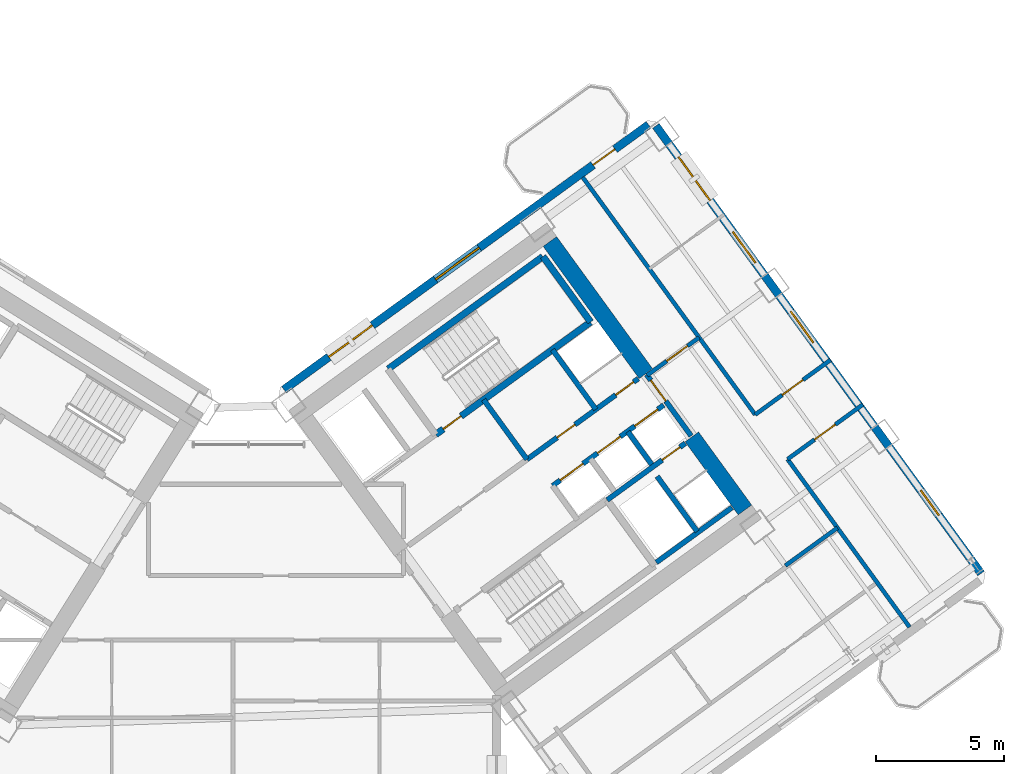
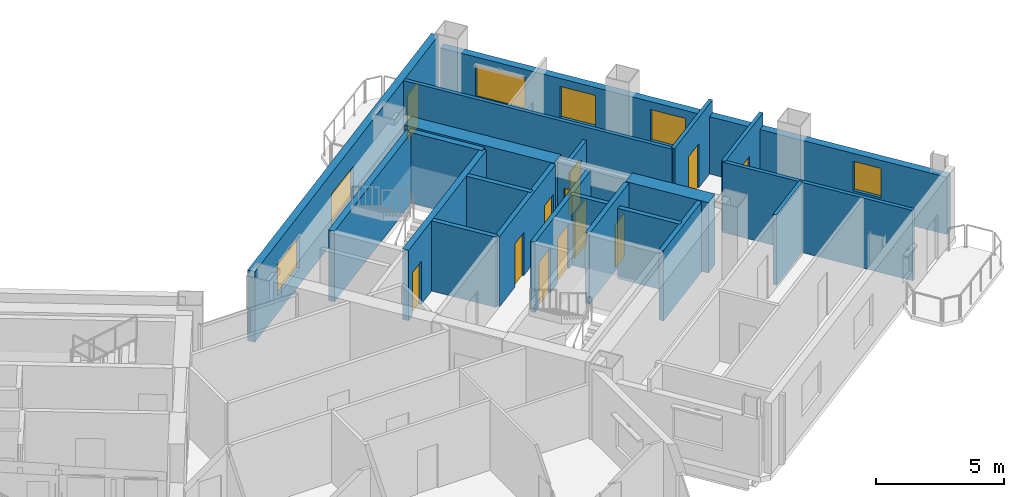
# One storey, part 19 of 25: 22 walls, 12 doors, 6 windows, 18 openings.
"""IFC4 building model written with IfcOpenShell, lengths in metres."""

from ifc_helpers import new_model, si_unit, direction, frame, frame_2d, origin, place, context, subcontext, project, spatial, rectangle, extrude, source, transform, mapped, material, layer, layer_set, type_object, element, fill, save


model = new_model("IFC4")

# Units and contexts
model_context = context("Model", 3, precision=1e-05, world=origin(), true_north=direction((0.0, 1.0)))
body_context = subcontext(model_context, "Body", "Model", "MODEL_VIEW")
ifc_project = project(units=[si_unit("LENGTHUNIT", "METRE"), si_unit("AREAUNIT", "SQUARE_METRE"), si_unit("VOLUMEUNIT", "CUBIC_METRE"), si_unit("PLANEANGLEUNIT", "RADIAN"), si_unit("MASSUNIT", "GRAM", prefix="KILO")], contexts=[model_context])

# Site, building, storey
site_placement = place(None, origin())
site = spatial("IfcSite", under=ifc_project, at=site_placement, CompositionType="ELEMENT")
building_placement = place(site_placement, origin())
building = spatial("IfcBuilding", under=site, at=building_placement, Name="Tlacorven Tower", CompositionType="ELEMENT")
storey_placement = place(building_placement, frame((0.0, 0.0, 52.800048828125)))
storey = spatial("IfcBuildingStorey", under=building, at=storey_placement, Name="L13", CompositionType="ELEMENT", Elevation=52.800048828125)

# Walls
ifc_material_1 = material(Name="Concrete C60/75", Category="concrete")
ifc_layer_1 = layer(ifc_material_1, 0.64990234375)
ifc_layer_set_1 = layer_set([ifc_layer_1], Name="Concrete C60/75")
wall_type_1 = type_object("IfcWallType", Name="WL-COR-650", PredefinedType="SHEAR", material=ifc_layer_set_1)
wall_1_placement = place(storey_placement, frame((61.9287109375, 20.494384765625, 0.0), z_axis=(0.0, 0.0, 1.0), x_axis=(-0.58782982593, 0.808984607855, 0.0)))
element("IfcWall", 1, at=wall_1_placement, inside=storey, type_object=wall_type_1, Name="L13 E core end wall E2.1", PredefinedType="SHEAR", context=body_context, shape_type="SweptSolid", body=[
    extrude(rectangle(XDim=3.52490234375, YDim=0.64990234375, at=frame_2d((1.762451171875, 0.0))), origin(), (0.0, 0.0, 1.0), 3.349853515625),
])
wall_2_placement = place(storey_placement, frame((58.06396484375, 25.8134765625, 0.0), z_axis=(0.0, 0.0, 1.0), x_axis=(-0.58777996584, 0.809020835181, 0.0)))
element("IfcWall", 2, at=wall_2_placement, inside=storey, type_object=wall_type_1, Name="L13 E core end wall E2.2", PredefinedType="SHEAR", context=body_context, shape_type="SweptSolid", body=[
    extrude(rectangle(XDim=6.375, YDim=0.64990234375, at=frame_2d((3.1875, 0.0))), origin(), (0.0, 0.0, 1.0), 3.349853515625),
])
ifc_material_2 = material(Name="Gypsum plasterboard acoustic partition", Category="gypsum")
ifc_layer_2 = layer(ifc_material_2, 0.159912109375)
ifc_layer_set_2 = layer_set([ifc_layer_2], Name="Gypsum plasterboard acoustic partition")
wall_type_2 = type_object("IfcWallType", Name="WL-DEM-160", PredefinedType="PARTITIONING", material=ifc_layer_set_2)
wall_3_placement = place(storey_placement, frame((63.5068359375, 18.322021484375, 0.0), z_axis=(0.0, 0.0, 1.0), x_axis=(0.809034604122, 0.587761013791, 0.0)))
element("IfcWall", 3, at=wall_3_placement, inside=storey, type_object=wall_type_2, Name="L13 partition 96", PredefinedType="PARTITIONING", context=body_context, shape_type="SweptSolid", body=[
    extrude(rectangle(XDim=2.510009765625, YDim=0.159912109375, at=frame_2d((1.2548828125, 0.0))), origin(), (0.0, 0.0, 1.0), 3.33984375),
])

# Wall, opening, door
wall_4_placement = place(storey_placement, frame((58.111083984375, 25.748779296875, 0.0), z_axis=(0.0, 0.0, 1.0), x_axis=(0.809000999347, 0.58780726693, 0.0)))
wall_4 = element("IfcWall", 4, at=wall_4_placement, inside=storey, type_object=wall_type_2, Name="L13 partition 97", PredefinedType="PARTITIONING", context=body_context, shape_type="SweptSolid", body=[
    extrude(rectangle(XDim=2.510009765625, YDim=0.159912109375, at=frame_2d((1.2548828125, 0.0))), origin(), (0.0, 0.0, 1.0), 2.724853515625),
])
opening_1_placement = place(wall_4_placement, frame((0.949951171875, 0.0, 0.0)))
opening_1 = element("IfcOpeningElement", 5, at=opening_1_placement, cuts=wall_4, Name="Opening D11", PredefinedType="OPENING", context=body_context, shape_type="SweptSolid", body=[
    extrude(rectangle(XDim=1.0, YDim=2.10009765625, at=frame_2d((0.5, 1.050048828125))), frame((0.0, 0.08984375, 0.0), z_axis=(0.0, -1.0, 0.0), x_axis=(1.0, 0.0, 0.0)), (0.0, 0.0, 1.0), 0.179931640625),
])
ifc_material_3 = material(Name="Fire-rated steel door assembly", Category="steel")
door_type_1 = type_object("IfcDoorType", Name="DR-FLT-FD60-1000", OperationType="NOTDEFINED", PredefinedType="DOOR", material=ifc_material_3)
shared_shape_1 = source(origin(), body_context, "Body", "SweptSolid", [
    extrude(rectangle(XDim=1.0, YDim=2.10009765625, at=frame_2d((0.5, 1.050048828125))), frame((0.0, 0.02490234375, 0.0), z_axis=(0.0, -1.0, 0.0), x_axis=(1.0, 0.0, 0.0)), (0.0, 0.0, 1.0), 0.050048828125),
])
door_1_placement = place(opening_1_placement, origin())
door_1 = element("IfcDoor", 6, at=door_1_placement, inside=storey, type_object=door_type_1, Name="L13 door 060", OperationType="SINGLE_SWING_LEFT", OverallHeight=2.10009765625, OverallWidth=1.0, PredefinedType="DOOR", context=body_context, shape_type="MappedRepresentation", body=[
    mapped(shared_shape_1, transform((0.0, 0.0, 0.0), scale=1.0)),
])
fill(opening_1, door_1)

# Walls
wall_5_placement = place(storey_placement, frame((68.35302734375, 15.922119140625, 0.0), z_axis=(0.0, 0.0, 1.0), x_axis=(-0.58776839458, 0.809029241952, 0.0)))
element("IfcWall", 7, at=wall_5_placement, inside=storey, type_object=wall_type_2, Name="L13 partition 98", PredefinedType="PARTITIONING", context=body_context, shape_type="SweptSolid", body=[
    extrude(rectangle(XDim=8.10009765625, YDim=0.159912109375, at=frame_2d((4.050048828125, 0.0))), origin(), (0.0, 0.0, 1.0), 3.33984375),
])
wall_6_placement = place(storey_placement, frame((62.328125, 24.214599609375, 0.0), z_axis=(0.0, 0.0, 1.0), x_axis=(-0.587778600963, 0.809021826807, 0.0)))
element("IfcWall", 8, at=wall_6_placement, inside=storey, type_object=wall_type_2, Name="L13 partition 99", PredefinedType="PARTITIONING", context=body_context, shape_type="SweptSolid", body=[
    extrude(rectangle(XDim=11.449951171875, YDim=0.159912109375, at=frame_2d((5.72509765625, 0.0))), origin(), (0.0, 0.0, 1.0), 3.33984375),
])

# Wall, opening, door
wall_7_placement = place(storey_placement, frame((63.592041015625, 22.475341796875, 0.0), z_axis=(0.0, 0.0, 1.0), x_axis=(0.809035546126, 0.58775971715, 0.0)))
wall_7 = element("IfcWall", 9, at=wall_7_placement, inside=storey, type_object=wall_type_2, Name="L13 partition 101", PredefinedType="PARTITIONING", context=body_context, shape_type="SweptSolid", body=[
    extrude(rectangle(XDim=3.6298828125, YDim=0.159912109375, at=frame_2d((1.81494140625, 0.0))), origin(), (0.0, 0.0, 1.0), 3.33984375),
])
opening_2_placement = place(wall_7_placement, frame((1.304931640625, 0.0, 0.0)))
opening_2 = element("IfcOpeningElement", 10, at=opening_2_placement, cuts=wall_7, Name="Opening D11", PredefinedType="OPENING", context=body_context, shape_type="SweptSolid", body=[
    extrude(rectangle(XDim=1.0, YDim=2.10009765625, at=frame_2d((0.5, 1.050048828125))), frame((0.0, 0.08984375, 0.0), z_axis=(0.0, -1.0, 0.0), x_axis=(1.0, 0.0, 0.0)), (0.0, 0.0, 1.0), 0.179931640625),
])
door_2_placement = place(opening_2_placement, origin())
door_2 = element("IfcDoor", 11, at=door_2_placement, inside=storey, type_object=door_type_1, Name="L13 door 064", OperationType="SINGLE_SWING_LEFT", OverallHeight=2.10009765625, OverallWidth=1.0, PredefinedType="DOOR", context=body_context, shape_type="MappedRepresentation", body=[
    mapped(shared_shape_1, transform((0.0, 0.0, 0.0), scale=1.0)),
])
fill(opening_2, door_2)

wall_8_placement = place(storey_placement, frame((62.328125, 24.214599609375, 0.0), z_axis=(0.0, 0.0, 1.0), x_axis=(0.809003564202, 0.587803736896, 0.0)))
wall_8 = element("IfcWall", 12, at=wall_8_placement, inside=storey, type_object=wall_type_2, Name="L13 partition 102", PredefinedType="PARTITIONING", context=body_context, shape_type="SweptSolid", body=[
    extrude(rectangle(XDim=3.630126953125, YDim=0.159912109375, at=frame_2d((1.81494140625, 0.0))), origin(), (0.0, 0.0, 1.0), 3.33984375),
])
opening_3_placement = place(wall_8_placement, frame((1.304931640625, 0.0, 0.0)))
opening_3 = element("IfcOpeningElement", 13, at=opening_3_placement, cuts=wall_8, Name="Opening D11", PredefinedType="OPENING", context=body_context, shape_type="SweptSolid", body=[
    extrude(rectangle(XDim=1.0, YDim=2.10009765625, at=frame_2d((0.5, 1.050048828125))), frame((0.0, 0.08984375, 0.0), z_axis=(0.0, -1.0, 0.0), x_axis=(1.0, 0.0, 0.0)), (0.0, 0.0, 1.0), 0.179931640625),
])
door_3_placement = place(opening_3_placement, origin())
door_3 = element("IfcDoor", 14, at=door_3_placement, inside=storey, type_object=door_type_1, Name="L13 door 062", OperationType="SINGLE_SWING_LEFT", OverallHeight=2.10009765625, OverallWidth=1.0, PredefinedType="DOOR", context=body_context, shape_type="MappedRepresentation", body=[
    mapped(shared_shape_1, transform((0.0, 0.0, 0.0), scale=1.0)),
])
fill(opening_3, door_3)

# Wall, openings, door, windows
ifc_material_4 = material(Name="Precast concrete C45/55", Category="concrete")
ifc_layer_3 = layer(ifc_material_4, 0.320068359375)
ifc_layer_set_3 = layer_set([ifc_layer_3], Name="Precast concrete C45/55")
wall_type_3 = type_object("IfcWallType", Name="WL-EXT-320", PredefinedType="STANDARD", material=ifc_layer_set_3)
wall_9_placement = place(storey_placement, frame((43.93798828125, 25.191650390625, 0.0), z_axis=(0.0, 0.0, 1.0), x_axis=(0.809016324578, 0.587786174187, 0.0)))
wall_9 = element("IfcWall", 15, at=wall_9_placement, inside=storey, type_object=wall_type_3, Name="L13 Masonry-Frame Recessed Facade Wall 4", PredefinedType="STANDARD", context=body_context, shape_type="SweptSolid", body=[
    extrude(rectangle(XDim=17.58740234375, YDim=0.320068359375, at=frame_2d((8.793701171875, 0.0))), origin(), (0.0, 0.0, 1.0), 3.349853515625),
])
opening_4_placement = place(wall_9_placement, frame((14.913818359375, 0.0, 0.0)))
opening_4 = element("IfcOpeningElement", 16, at=opening_4_placement, cuts=wall_9, Name="Opening D06", PredefinedType="OPENING", context=body_context, shape_type="SweptSolid", body=[
    extrude(rectangle(XDim=1.050048828125, YDim=2.14990234375, at=frame_2d((0.52490234375, 1.074951171875))), frame((0.0, 0.169921875, 0.0), z_axis=(0.0, -1.0, 0.0), x_axis=(1.0, 0.0, 0.0)), (0.0, 0.0, 1.0), 0.340087890625),
])
opening_5_placement = place(wall_9_placement, frame((2.168701171875, 0.0, 0.800048828125)))
opening_5 = element("IfcOpeningElement", 17, at=opening_5_placement, cuts=wall_9, Name="Opening WN04", PredefinedType="OPENING", context=body_context, shape_type="SweptSolid", body=[
    extrude(rectangle(XDim=2.10009765625, YDim=1.550048828125, at=frame_2d((1.050048828125, 0.77490234375))), frame((0.0, 0.169921875, 0.0), z_axis=(0.0, -1.0, 0.0), x_axis=(1.0, 0.0, 0.0)), (0.0, 0.0, 1.0), 0.340087890625),
])
opening_6_placement = place(wall_9_placement, frame((7.318603515625, 0.0, 0.800048828125)))
opening_6 = element("IfcOpeningElement", 18, at=opening_6_placement, cuts=wall_9, Name="Opening WN04", PredefinedType="OPENING", context=body_context, shape_type="SweptSolid", body=[
    extrude(rectangle(XDim=2.10009765625, YDim=1.550048828125, at=frame_2d((1.050048828125, 0.77490234375))), frame((0.0, 0.169921875, 0.0), z_axis=(0.0, -1.0, 0.0), x_axis=(1.0, 0.0, 0.0)), (0.0, 0.0, 1.0), 0.340087890625),
])
ifc_material_5 = material(Name="Powder-coated aluminium and timber door", Category="wood")
door_type_2 = type_object("IfcDoorType", Name="DR-EXT-BALC-1050", OperationType="NOTDEFINED", PredefinedType="DOOR", material=ifc_material_5)
shared_shape_2 = source(origin(), body_context, "Body", "SweptSolid", [
    extrude(rectangle(XDim=1.050048828125, YDim=2.14990234375, at=frame_2d((0.52490234375, 1.074951171875))), frame((0.0, 0.02490234375, 0.0), z_axis=(0.0, -1.0, 0.0), x_axis=(1.0, 0.0, 0.0)), (0.0, 0.0, 1.0), 0.050048828125),
])
door_4_placement = place(opening_4_placement, origin())
door_4 = element("IfcDoor", 19, at=door_4_placement, inside=storey, type_object=door_type_2, Name="L13 Outdoor Access Door BAL-L13-E-IN", OperationType="SINGLE_SWING_RIGHT", OverallHeight=2.14990234375, OverallWidth=1.050048828125, PredefinedType="DOOR", context=body_context, shape_type="MappedRepresentation", body=[
    mapped(shared_shape_2, transform((0.0, 0.0, 0.0), scale=1.0)),
])
fill(opening_4, door_4)
ifc_material_6 = material(Name="Dark solar low-E double glazing in anodised aluminium frame", Category="aluminium")
window_type_1 = type_object("IfcWindowType", Name="WN-APT-2100X1750", PartitioningType="SINGLE_PANEL", PredefinedType="WINDOW", material=ifc_material_6)
shared_shape_3 = source(origin(), body_context, "Body", "SweptSolid", [
    extrude(rectangle(XDim=2.10009765625, YDim=1.550048828125, at=frame_2d((1.050048828125, 0.77490234375))), frame((0.0, 0.030029296875, 0.0), z_axis=(0.0, -1.0, 0.0), x_axis=(1.0, 0.0, 0.0)), (0.0, 0.0, 1.0), 0.06005859375),
])
window_1_placement = place(opening_5_placement, origin())
window_1 = element("IfcWindow", 20, at=window_1_placement, inside=storey, type_object=window_type_1, Name="L13 Recessed Masonry-Frame Window L13-04.1", OverallHeight=1.550048828125, OverallWidth=2.10009765625, PartitioningType="SINGLE_PANEL", PredefinedType="WINDOW", context=body_context, shape_type="MappedRepresentation", body=[
    mapped(shared_shape_3, transform((0.0, 0.0, 0.0), scale=1.0)),
])
fill(opening_5, window_1)
window_2_placement = place(opening_6_placement, origin())
window_2 = element("IfcWindow", 21, at=window_2_placement, inside=storey, type_object=window_type_1, Name="L13 Recessed Masonry-Frame Window L13-04.2", OverallHeight=1.550048828125, OverallWidth=2.10009765625, PartitioningType="SINGLE_PANEL", PredefinedType="WINDOW", context=body_context, shape_type="MappedRepresentation", body=[
    mapped(shared_shape_3, transform((0.0, 0.0, 0.0), scale=1.0)),
])
fill(opening_6, window_2)

# Wall, openings, windows
wall_10_placement = place(storey_placement, frame((58.45458984375, 35.483642578125, 0.0), z_axis=(0.0, 0.0, 1.0), x_axis=(0.587783625747, -0.809018176127, 0.0)))
wall_10 = element("IfcWall", 22, at=wall_10_placement, inside=storey, type_object=wall_type_3, Name="L13 Masonry-Frame Recessed Facade Wall 5", PredefinedType="STANDARD", context=body_context, shape_type="SweptSolid", body=[
    extrude(rectangle(XDim=21.58740234375, YDim=0.320068359375, at=frame_2d((10.793701171875, 0.0))), origin(), (0.0, 0.0, 1.0), 2.724853515625),
])
opening_7_placement = place(wall_10_placement, frame((1.500244140625, 0.0, 0.800048828125)))
opening_7 = element("IfcOpeningElement", 23, at=opening_7_placement, cuts=wall_10, Name="Opening WN04", PredefinedType="OPENING", context=body_context, shape_type="SweptSolid", body=[
    extrude(rectangle(XDim=2.10009765625, YDim=1.550048828125, at=frame_2d((1.050048828125, 0.77490234375))), frame((0.0, 0.169921875, 0.0), z_axis=(0.0, -1.0, 0.0), x_axis=(1.0, 0.0, 0.0)), (0.0, 0.0, 1.0), 0.340087890625),
])
opening_8_placement = place(wall_10_placement, frame((5.105224609375, 0.0, 0.85009765625)))
opening_8 = element("IfcOpeningElement", 24, at=opening_8_placement, cuts=wall_10, Name="Opening WN02", PredefinedType="OPENING", context=body_context, shape_type="SweptSolid", body=[
    extrude(rectangle(XDim=1.5, YDim=1.5, at=frame_2d((0.75, 0.75))), frame((0.0, 0.169921875, 0.0), z_axis=(0.0, -1.0, 0.0), x_axis=(1.0, 0.0, 0.0)), (0.0, 0.0, 1.0), 0.340087890625),
])
opening_9_placement = place(wall_10_placement, frame((8.95361328125, 0.0, 0.85009765625)))
opening_9 = element("IfcOpeningElement", 25, at=opening_9_placement, cuts=wall_10, Name="Opening WN02", PredefinedType="OPENING", context=body_context, shape_type="SweptSolid", body=[
    extrude(rectangle(XDim=1.5, YDim=1.5, at=frame_2d((0.75, 0.75))), frame((0.0, 0.169921875, 0.0), z_axis=(0.0, -1.0, 0.0), x_axis=(1.0, 0.0, 0.0)), (0.0, 0.0, 1.0), 0.340087890625),
])
opening_10_placement = place(wall_10_placement, frame((17.581298828125, 0.0, 0.949951171875)))
opening_10 = element("IfcOpeningElement", 26, at=opening_10_placement, cuts=wall_10, Name="Opening WN03", PredefinedType="OPENING", context=body_context, shape_type="SweptSolid", body=[
    extrude(rectangle(XDim=1.199951171875, YDim=1.39990234375, at=frame_2d((0.60009765625, 0.699951171875))), frame((0.0, 0.169921875, 0.0), z_axis=(0.0, -1.0, 0.0), x_axis=(1.0, 0.0, 0.0)), (0.0, 0.0, 1.0), 0.340087890625),
])
window_3_placement = place(opening_7_placement, origin())
window_3 = element("IfcWindow", 27, at=window_3_placement, inside=storey, type_object=window_type_1, Name="L13 Recessed Masonry-Frame Window L13-05.1", OverallHeight=1.550048828125, OverallWidth=2.10009765625, PartitioningType="SINGLE_PANEL", PredefinedType="WINDOW", context=body_context, shape_type="MappedRepresentation", body=[
    mapped(shared_shape_3, transform((0.0, 0.0, 0.0), scale=1.0)),
])
fill(opening_7, window_3)
window_type_2 = type_object("IfcWindowType", Name="WN-APT-1200X1500", PartitioningType="SINGLE_PANEL", PredefinedType="WINDOW", material=ifc_material_6)
shared_shape_4 = source(origin(), body_context, "Body", "SweptSolid", [
    extrude(rectangle(XDim=1.199951171875, YDim=1.39990234375, at=frame_2d((0.60009765625, 0.699951171875))), frame((0.0, 0.030029296875, 0.0), z_axis=(0.0, -1.0, 0.0), x_axis=(1.0, 0.0, 0.0)), (0.0, 0.0, 1.0), 0.06005859375),
])
window_4_placement = place(opening_10_placement, origin())
window_4 = element("IfcWindow", 28, at=window_4_placement, inside=storey, type_object=window_type_2, Name="L13 Recessed Masonry-Frame Window L13-05.4", OverallHeight=1.39990234375, OverallWidth=1.199951171875, PartitioningType="SINGLE_PANEL", PredefinedType="WINDOW", context=body_context, shape_type="MappedRepresentation", body=[
    mapped(shared_shape_4, transform((0.0, 0.0, 0.0), scale=1.0)),
])
fill(opening_10, window_4)
window_type_3 = type_object("IfcWindowType", Name="WN-APT-1500X1650", PartitioningType="SINGLE_PANEL", PredefinedType="WINDOW", material=ifc_material_6)
shared_shape_5 = source(origin(), body_context, "Body", "SweptSolid", [
    extrude(rectangle(XDim=1.5, YDim=1.5, at=frame_2d((0.75, 0.75))), frame((0.0, 0.030029296875, 0.0), z_axis=(0.0, -1.0, 0.0), x_axis=(1.0, 0.0, 0.0)), (0.0, 0.0, 1.0), 0.06005859375),
])
window_5_placement = place(opening_8_placement, origin())
window_5 = element("IfcWindow", 29, at=window_5_placement, inside=storey, type_object=window_type_3, Name="L13 Recessed Masonry-Frame Window L13-05.2", OverallHeight=1.5, OverallWidth=1.5, PartitioningType="SINGLE_PANEL", PredefinedType="WINDOW", context=body_context, shape_type="MappedRepresentation", body=[
    mapped(shared_shape_5, transform((0.0, 0.0, 0.0), scale=1.0)),
])
fill(opening_8, window_5)
window_6_placement = place(opening_9_placement, origin())
window_6 = element("IfcWindow", 30, at=window_6_placement, inside=storey, type_object=window_type_3, Name="L13 Recessed Masonry-Frame Window L13-05.3", OverallHeight=1.5, OverallWidth=1.5, PartitioningType="SINGLE_PANEL", PredefinedType="WINDOW", context=body_context, shape_type="MappedRepresentation", body=[
    mapped(shared_shape_5, transform((0.0, 0.0, 0.0), scale=1.0)),
])
fill(opening_9, window_6)

# Wall, opening, door
ifc_material_7 = material(Name="Concrete C40/50", Category="concrete")
ifc_layer_4 = layer(ifc_material_7, 0.199951171875)
ifc_layer_set_4 = layer_set([ifc_layer_4], Name="Concrete C40/50")
wall_type_4 = type_object("IfcWallType", Name="WL-SHF-200", PredefinedType="STANDARD", material=ifc_layer_set_4)
wall_11_placement = place(storey_placement, frame((56.552978515625, 20.884033203125, 0.0), z_axis=(0.0, 0.0, 1.0), x_axis=(0.809035789462, 0.587759382205, 0.0)))
wall_11 = element("IfcWall", 31, at=wall_11_placement, inside=storey, type_object=wall_type_4, Name="L13 Core E South Lift Shaft Wall", PredefinedType="STANDARD", context=body_context, shape_type="SweptSolid", body=[
    extrude(rectangle(XDim=3.767822265625, YDim=0.199951171875, at=frame_2d((1.8837890625, 0.0))), origin(), (0.0, 0.0, 1.0), 3.33984375),
])
opening_11_placement = place(wall_11_placement, frame((2.64990234375, 0.0, 0.0)))
opening_11 = element("IfcOpeningElement", 32, at=opening_11_placement, cuts=wall_11, Name="Opening D19", PredefinedType="OPENING", context=body_context, shape_type="SweptSolid", body=[
    extrude(rectangle(XDim=0.860107421875, YDim=2.050048828125, at=frame_2d((0.43017578125, 1.02490234375))), frame((0.0, 0.10986328125, 0.0), z_axis=(0.0, -1.0, 0.0), x_axis=(1.0, 0.0, 0.0)), (0.0, 0.0, 1.0), 0.219970703125),
])
door_type_3 = type_object("IfcDoorType", Name="DR-RSR-FD60-0860", OperationType="NOTDEFINED", PredefinedType="DOOR", material=ifc_material_3)
shared_shape_6 = source(origin(), body_context, "Body", "SweptSolid", [
    extrude(rectangle(XDim=0.860107421875, YDim=2.050048828125, at=frame_2d((0.43017578125, 1.02490234375))), frame((0.0, 0.02490234375, 0.0), z_axis=(0.0, -1.0, 0.0), x_axis=(1.0, 0.0, 0.0)), (0.0, 0.0, 1.0), 0.050048828125),
])
door_5_placement = place(opening_11_placement, origin())
door_5 = element("IfcDoor", 33, at=door_5_placement, inside=storey, type_object=door_type_3, Name="L13 Smoke Extract Riser Access Door", OperationType="SINGLE_SWING_RIGHT", OverallHeight=2.050048828125, OverallWidth=0.860107421875, PredefinedType="DOOR", context=body_context, shape_type="MappedRepresentation", body=[
    mapped(shared_shape_6, transform((0.0, 0.0, 0.0), scale=1.0)),
])
fill(opening_11, door_5)

# Wall, openings, doors
wall_12_placement = place(storey_placement, frame((54.421142578125, 21.436279296875, 0.0), z_axis=(0.0, 0.0, 1.0), x_axis=(0.809013710463, 0.587789772183, 0.0)))
wall_12 = element("IfcWall", 34, at=wall_12_placement, inside=storey, type_object=wall_type_4, Name="L13 partition 36", PredefinedType="STANDARD", context=body_context, shape_type="SweptSolid", body=[
    extrude(rectangle(XDim=5.360107421875, YDim=0.199951171875, at=frame_2d((2.68017578125, 0.0))), origin(), (0.0, 0.0, 1.0), 3.33984375),
])
opening_12_placement = place(wall_12_placement, frame((0.3701171875, 0.0, 0.0)))
opening_12 = element("IfcOpeningElement", 35, at=opening_12_placement, cuts=wall_12, Name="Opening LD01", PredefinedType="OPENING", context=body_context, shape_type="SweptSolid", body=[
    extrude(rectangle(XDim=1.10009765625, YDim=2.14990234375, at=frame_2d((0.550048828125, 1.074951171875))), frame((0.0, 0.10986328125, 0.0), z_axis=(0.0, -1.0, 0.0), x_axis=(1.0, 0.0, 0.0)), (0.0, 0.0, 1.0), 0.219970703125),
])
opening_13_placement = place(wall_12_placement, frame((2.169921875, 0.0, 0.0)))
opening_13 = element("IfcOpeningElement", 36, at=opening_13_placement, cuts=wall_12, Name="Opening LD01", PredefinedType="OPENING", context=body_context, shape_type="SweptSolid", body=[
    extrude(rectangle(XDim=1.10009765625, YDim=2.14990234375, at=frame_2d((0.550048828125, 1.074951171875))), frame((0.0, 0.10986328125, 0.0), z_axis=(0.0, -1.0, 0.0), x_axis=(1.0, 0.0, 0.0)), (0.0, 0.0, 1.0), 0.219970703125),
])
opening_14_placement = place(wall_12_placement, frame((3.969970703125, 0.0, 0.0)))
opening_14 = element("IfcOpeningElement", 37, at=opening_14_placement, cuts=wall_12, Name="Opening LD01", PredefinedType="OPENING", context=body_context, shape_type="SweptSolid", body=[
    extrude(rectangle(XDim=1.10009765625, YDim=2.14990234375, at=frame_2d((0.550048828125, 1.074951171875))), frame((0.0, 0.10986328125, 0.0), z_axis=(0.0, -1.0, 0.0), x_axis=(1.0, 0.0, 0.0)), (0.0, 0.0, 1.0), 0.219970703125),
])
door_type_4 = type_object("IfcDoorType", Name="DR-LFT-SLID-1100", OperationType="DOUBLE_DOOR_SLIDING", PredefinedType="DOOR", material=ifc_material_3)
shared_shape_7 = source(origin(), body_context, "Body", "SweptSolid", [
    extrude(rectangle(XDim=1.10009765625, YDim=2.14990234375, at=frame_2d((0.550048828125, 1.074951171875))), frame((0.0, 0.02490234375, 0.0), z_axis=(0.0, -1.0, 0.0), x_axis=(1.0, 0.0, 0.0)), (0.0, 0.0, 1.0), 0.050048828125),
])
door_6_placement = place(opening_12_placement, origin())
door_6 = element("IfcDoor", 38, at=door_6_placement, inside=storey, type_object=door_type_4, Name="L13 Lift PL-L1 Sliding Landing Door", OperationType="DOUBLE_DOOR_SLIDING", OverallHeight=2.14990234375, OverallWidth=1.10009765625, PredefinedType="DOOR", context=body_context, shape_type="MappedRepresentation", body=[
    mapped(shared_shape_7, transform((0.0, 0.0, 0.0), scale=1.0)),
])
fill(opening_12, door_6)
door_7_placement = place(opening_13_placement, origin())
door_7 = element("IfcDoor", 39, at=door_7_placement, inside=storey, type_object=door_type_4, Name="L13 Lift PL-L2 Sliding Landing Door", OperationType="DOUBLE_DOOR_SLIDING", OverallHeight=2.14990234375, OverallWidth=1.10009765625, PredefinedType="DOOR", context=body_context, shape_type="MappedRepresentation", body=[
    mapped(shared_shape_7, transform((0.0, 0.0, 0.0), scale=1.0)),
])
fill(opening_13, door_7)
door_8_placement = place(opening_14_placement, origin())
door_8 = element("IfcDoor", 40, at=door_8_placement, inside=storey, type_object=door_type_4, Name="L13 Lift PL-L3 Sliding Landing Door", OperationType="DOUBLE_DOOR_SLIDING", OverallHeight=2.14990234375, OverallWidth=1.10009765625, PredefinedType="DOOR", context=body_context, shape_type="MappedRepresentation", body=[
    mapped(shared_shape_7, transform((0.0, 0.0, 0.0), scale=1.0)),
])
fill(opening_14, door_8)

# Walls
wall_13_placement = place(storey_placement, frame((58.290283203125, 22.269775390625, 0.0), z_axis=(0.0, 0.0, 1.0), x_axis=(-0.587840865826, 0.808976585857, 0.0)))
element("IfcWall", 41, at=wall_13_placement, inside=storey, type_object=wall_type_4, Name="L13 partition 40", PredefinedType="STANDARD", context=body_context, shape_type="SweptSolid", body=[
    extrude(rectangle(XDim=1.579833984375, YDim=0.199951171875, at=frame_2d((0.7900390625, 0.0))), origin(), (0.0, 0.0, 1.0), 3.33984375),
])
wall_14_placement = place(storey_placement, frame((60.066650390625, 19.654541015625, 0.0), z_axis=(0.0, 0.0, 1.0), x_axis=(-0.587800520745, 0.809005900975, 0.0)))
element("IfcWall", 42, at=wall_14_placement, inside=storey, type_object=wall_type_4, Name="L13 partition 41", PredefinedType="STANDARD", context=body_context, shape_type="SweptSolid", body=[
    extrude(rectangle(XDim=2.659912109375, YDim=0.199951171875, at=frame_2d((1.330078125, 0.0))), origin(), (0.0, 0.0, 1.0), 3.33984375),
])
wall_15_placement = place(storey_placement, frame((58.47216796875, 18.446533203125, 0.0), z_axis=(0.0, 0.0, 1.0), x_axis=(0.809022487728, 0.587777691266, 0.0)))
element("IfcWall", 43, at=wall_15_placement, inside=storey, type_object=wall_type_4, Name="L13 partition 43", PredefinedType="STANDARD", context=body_context, shape_type="SweptSolid", body=[
    extrude(rectangle(XDim=3.648193359375, YDim=0.199951171875, at=frame_2d((1.82421875, 0.0))), origin(), (0.0, 0.0, 1.0), 3.33984375),
])
wall_16_placement = place(storey_placement, frame((53.424560546875, 22.467529296875, 0.0), z_axis=(0.0, 0.0, 1.0), x_axis=(-0.5877230039, 0.809062216821, 0.0)))
element("IfcWall", 44, at=wall_16_placement, inside=storey, type_object=wall_type_4, Name="L13 partition 45", PredefinedType="STANDARD", context=body_context, shape_type="SweptSolid", body=[
    extrude(rectangle(XDim=2.8798828125, YDim=0.199951171875, at=frame_2d((1.43994140625, 0.0))), origin(), (0.0, 0.0, 1.0), 3.33984375),
])
wall_17_placement = place(storey_placement, frame((56.110595703125, 24.4189453125, 0.0), z_axis=(0.0, 0.0, 1.0), x_axis=(-0.58777848983, 0.809021907548, 0.0)))
element("IfcWall", 45, at=wall_17_placement, inside=storey, type_object=wall_type_4, Name="L13 partition 46", PredefinedType="STANDARD", context=body_context, shape_type="SweptSolid", body=[
    extrude(rectangle(XDim=2.880126953125, YDim=0.199951171875, at=frame_2d((1.43994140625, 0.0))), origin(), (0.0, 0.0, 1.0), 3.33984375),
])

# Wall, openings, doors
wall_18_placement = place(storey_placement, frame((53.424560546875, 22.467529296875, 0.0), z_axis=(0.0, 0.0, 1.0), x_axis=(0.80902705128, 0.587771409902, 0.0)))
wall_18 = element("IfcWall", 46, at=wall_18_placement, inside=storey, type_object=wall_type_4, Name="L13 Core E North Service Wall", PredefinedType="STANDARD", context=body_context, shape_type="SweptSolid", body=[
    extrude(rectangle(XDim=5.3681640625, YDim=0.199951171875, at=frame_2d((2.68408203125, 0.0))), origin(), (0.0, 0.0, 1.0), 3.33984375),
])
opening_15_placement = place(wall_18_placement, frame((4.280029296875, 0.0, 0.0)))
opening_15 = element("IfcOpeningElement", 47, at=opening_15_placement, cuts=wall_18, Name="Opening D19", PredefinedType="OPENING", context=body_context, shape_type="SweptSolid", body=[
    extrude(rectangle(XDim=0.860107421875, YDim=2.050048828125, at=frame_2d((0.43017578125, 1.02490234375))), frame((0.0, 0.10986328125, 0.0), z_axis=(0.0, -1.0, 0.0), x_axis=(1.0, 0.0, 0.0)), (0.0, 0.0, 1.0), 0.219970703125),
])
opening_16_placement = place(wall_18_placement, frame((1.449951171875, 0.0, 0.0)))
opening_16 = element("IfcOpeningElement", 48, at=opening_16_placement, cuts=wall_18, Name="Opening D19", PredefinedType="OPENING", context=body_context, shape_type="SweptSolid", body=[
    extrude(rectangle(XDim=0.860107421875, YDim=2.050048828125, at=frame_2d((0.43017578125, 1.02490234375))), frame((0.0, 0.10986328125, 0.0), z_axis=(0.0, -1.0, 0.0), x_axis=(1.0, 0.0, 0.0)), (0.0, 0.0, 1.0), 0.219970703125),
])
door_9_placement = place(opening_15_placement, frame((0.860107421875, 0.0, 0.0), z_axis=(0.0, 0.0, 1.0), x_axis=(-1.0, 0.0, 0.0)))
door_9 = element("IfcDoor", 49, at=door_9_placement, inside=storey, type_object=door_type_3, Name="L13 Electrical Riser Access Door E", OperationType="SINGLE_SWING_LEFT", OverallHeight=2.050048828125, OverallWidth=0.860107421875, PredefinedType="DOOR", context=body_context, shape_type="MappedRepresentation", body=[
    mapped(shared_shape_6, transform((0.0, 0.0, 0.0), scale=1.0)),
])
fill(opening_15, door_9)
door_10_placement = place(opening_16_placement, frame((0.860107421875, 0.0, 0.0), z_axis=(0.0, 0.0, 1.0), x_axis=(-1.0, 0.0, 0.0)))
door_10 = element("IfcDoor", 50, at=door_10_placement, inside=storey, type_object=door_type_3, Name="L13 Housekeeping Linen Access Door E", OperationType="SINGLE_SWING_RIGHT", OverallHeight=2.050048828125, OverallWidth=0.860107421875, PredefinedType="DOOR", context=body_context, shape_type="MappedRepresentation", body=[
    mapped(shared_shape_6, transform((0.0, 0.0, 0.0), scale=1.0)),
])
fill(opening_16, door_10)

# Wall, opening, door
wall_19_placement = place(storey_placement, frame((59.827392578125, 23.386474609375, 0.0), z_axis=(0.0, 0.0, 1.0), x_axis=(-0.587803840107, 0.809003489211, 0.0)))
wall_19 = element("IfcWall", 51, at=wall_19_placement, inside=storey, type_object=wall_type_4, Name="L13 partition 95", PredefinedType="STANDARD", context=body_context, shape_type="SweptSolid", body=[
    extrude(rectangle(XDim=2.960205078125, YDim=0.199951171875, at=frame_2d((1.47998046875, 0.0))), origin(), (0.0, 0.0, 1.0), 3.33984375),
])
opening_17_placement = place(wall_19_placement, frame((1.679931640625, 0.0, 0.0)))
opening_17 = element("IfcOpeningElement", 52, at=opening_17_placement, cuts=wall_19, Name="Opening D11", PredefinedType="OPENING", context=body_context, shape_type="SweptSolid", body=[
    extrude(rectangle(XDim=1.0, YDim=2.10009765625, at=frame_2d((0.5, 1.050048828125))), frame((0.0, 0.10986328125, 0.0), z_axis=(0.0, -1.0, 0.0), x_axis=(1.0, 0.0, 0.0)), (0.0, 0.0, 1.0), 0.219970703125),
])
door_11_placement = place(opening_17_placement, origin())
door_11 = element("IfcDoor", 53, at=door_11_placement, inside=storey, type_object=door_type_1, Name="L13 door 061", OperationType="SINGLE_SWING_RIGHT", OverallHeight=2.10009765625, OverallWidth=1.0, PredefinedType="DOOR", context=body_context, shape_type="MappedRepresentation", body=[
    mapped(shared_shape_1, transform((0.0, 0.0, 0.0), scale=1.0)),
])
fill(opening_17, door_11)

# Wall
ifc_material_8 = material(Name="Concrete C50/60", Category="concrete")
ifc_layer_5 = layer(ifc_material_8, 0.260009765625)
ifc_layer_set_5 = layer_set([ifc_layer_5], Name="Concrete C50/60")
wall_type_5 = type_object("IfcWallType", Name="WL-STW-260", PredefinedType="SHEAR", material=ifc_layer_set_5)
wall_20_placement = place(storey_placement, frame((48.005615234375, 25.996337890625, 0.0), z_axis=(0.0, 0.0, 1.0), x_axis=(0.80901903764, 0.587782439969, 0.0)))
element("IfcWall", 54, at=wall_20_placement, inside=storey, type_object=wall_type_5, Name="L13 Stair E1 Far Shear Wall", PredefinedType="SHEAR", context=body_context, shape_type="SweptSolid", body=[
    extrude(rectangle(XDim=7.4599609375, YDim=0.260009765625, at=frame_2d((3.72998046875, 0.0))), origin(), (0.0, 0.0, 1.0), 3.349853515625),
])

# Wall, opening, door
wall_21_placement = place(storey_placement, frame((49.863037109375, 23.439697265625, 0.0), z_axis=(0.0, 0.0, 1.0), x_axis=(0.809003474932, 0.587803859759, 0.0)))
wall_21 = element("IfcWall", 55, at=wall_21_placement, inside=storey, type_object=wall_type_5, Name="L13 Stair E1 Lobby Shear Wall", PredefinedType="SHEAR", context=body_context, shape_type="SweptSolid", body=[
    extrude(rectangle(XDim=7.4599609375, YDim=0.260009765625, at=frame_2d((3.72998046875, 0.0))), origin(), (0.0, 0.0, 1.0), 3.349853515625),
])
opening_18_placement = place(wall_21_placement, frame((0.360107421875, 0.0, 0.0)))
opening_18 = element("IfcOpeningElement", 56, at=opening_18_placement, cuts=wall_21, Name="Opening D19", PredefinedType="OPENING", context=body_context, shape_type="SweptSolid", body=[
    extrude(rectangle(XDim=0.860107421875, YDim=2.050048828125, at=frame_2d((0.43017578125, 1.02490234375))), frame((0.0, 0.14013671875, 0.0), z_axis=(0.0, -1.0, 0.0), x_axis=(1.0, 0.0, 0.0)), (0.0, 0.0, 1.0), 0.280029296875),
])
door_12_placement = place(opening_18_placement, frame((0.860107421875, 0.0, 0.0), z_axis=(0.0, 0.0, 1.0), x_axis=(-1.0, 0.0, 0.0)))
door_12 = element("IfcDoor", 57, at=door_12_placement, inside=storey, type_object=door_type_3, Name="L13 Exit Stair E1 Fire Door", OperationType="SINGLE_SWING_LEFT", OverallHeight=2.050048828125, OverallWidth=0.860107421875, PredefinedType="DOOR", context=body_context, shape_type="MappedRepresentation", body=[
    mapped(shared_shape_6, transform((0.0, 0.0, 0.0), scale=1.0)),
])
fill(opening_18, door_12)

# Wall
wall_22_placement = place(storey_placement, frame((55.906494140625, 27.83056640625, 0.0), z_axis=(0.0, 0.0, 1.0), x_axis=(-0.587804123638, 0.809003283204, 0.0)))
element("IfcWall", 58, at=wall_22_placement, inside=storey, type_object=wall_type_5, Name="L13 Stair E1 East Shear Wall", PredefinedType="SHEAR", context=body_context, shape_type="SweptSolid", body=[
    extrude(rectangle(XDim=3.159912109375, YDim=0.260009765625, at=frame_2d((1.580078125, 0.0))), origin(), (0.0, 0.0, 1.0), 3.349853515625),
])

save(model, "model.ifc")
